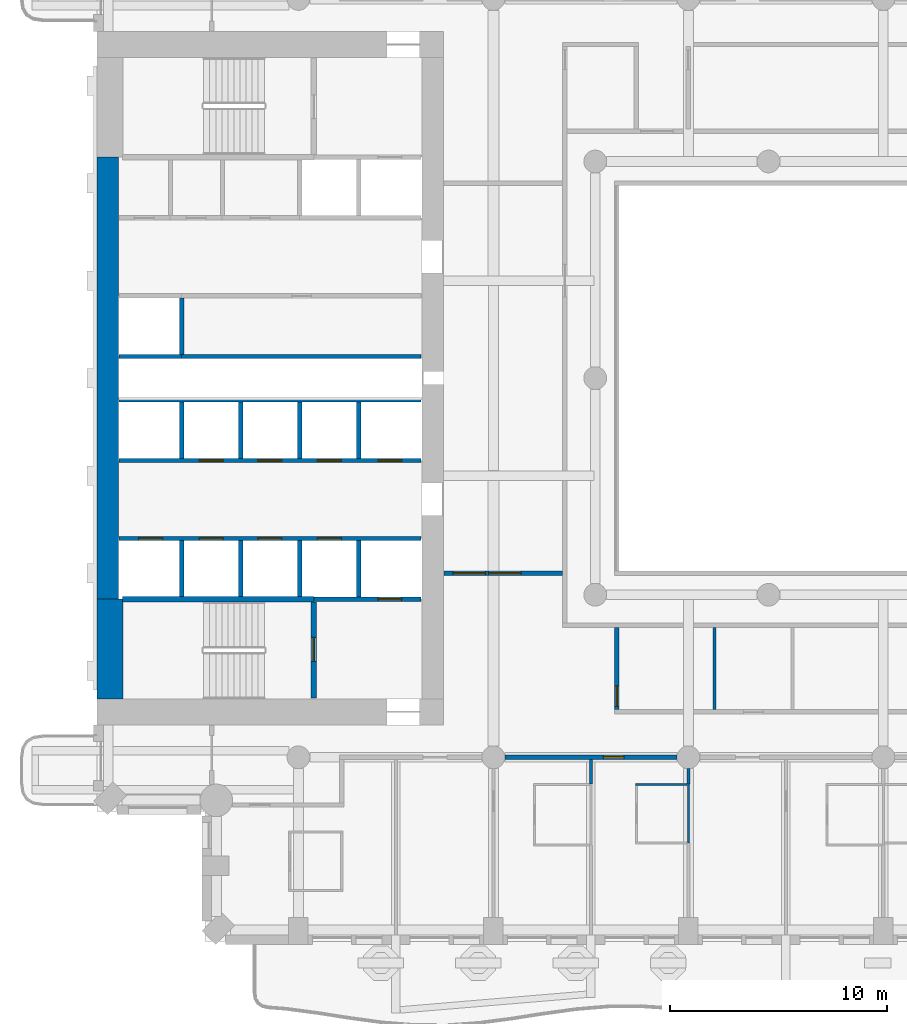
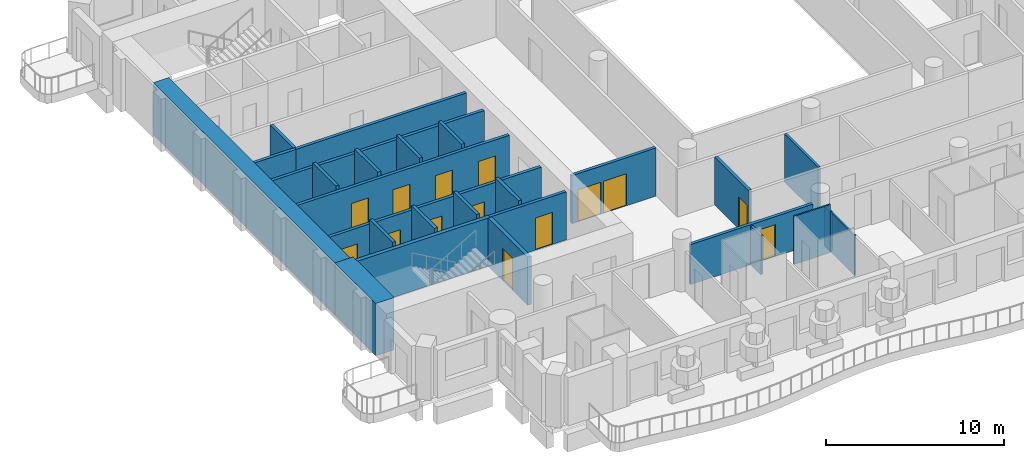
# One storey, part 4 of 20: 27 walls, 14 doors, 14 openings.
"""IFC4 building model written with IfcOpenShell, lengths in metres."""

from ifc_helpers import new_model, si_unit, direction, frame, frame_2d, origin, place, context, subcontext, project, spatial, rectangle, extrude, material, layer, layer_set, type_object, element, fill, save


model = new_model("IFC4")

# Units and contexts
model_context = context("Model", 3, precision=1e-05, world=origin(), true_north=direction((0.0, 1.0)))
body_context = subcontext(model_context, "Body", "Model", "MODEL_VIEW")
ifc_project = project(units=[si_unit("LENGTHUNIT", "METRE"), si_unit("AREAUNIT", "SQUARE_METRE"), si_unit("VOLUMEUNIT", "CUBIC_METRE"), si_unit("PLANEANGLEUNIT", "RADIAN"), si_unit("MASSUNIT", "GRAM", prefix="KILO")], contexts=[model_context])

# Site, building, storey
site_placement = place(None, origin())
site = spatial("IfcSite", under=ifc_project, at=site_placement, CompositionType="ELEMENT")
building_placement = place(site_placement, origin())
building = spatial("IfcBuilding", under=site, at=building_placement, Name="Cypress Arch Tower", CompositionType="ELEMENT")
storey_placement = place(building_placement, frame((0.0, 0.0, 109.5)))
storey = spatial("IfcBuildingStorey", under=building, at=storey_placement, Name="L22", CompositionType="ELEMENT", Elevation=109.5)

# Walls
ifc_material_1 = material(Name="Concrete C80/95", Category="concrete")
ifc_layer_1 = layer(ifc_material_1, 1.0)
ifc_layer_set_1 = layer_set([ifc_layer_1], Name="Core wall CW1000 C80/95")
wall_type_1 = type_object("IfcWallType", Name="Core wall CW1000 C80/95", PredefinedType="SHEAR", material=ifc_layer_set_1)
wall_1_placement = place(storey_placement, frame((-29.5, -10.199951171875, 0.0), z_axis=(0.0, 0.0, 1.0), x_axis=(0.0, 1.0, 0.0)))
element("IfcWall", 1, at=wall_1_placement, inside=storey, type_object=wall_type_1, Name="Core wall", PredefinedType="SHEAR", context=body_context, shape_type="SweptSolid", body=[
    extrude(rectangle(XDim=20.39990234375, YDim=1.0, at=frame_2d((10.199951171875, 0.0))), origin(), (0.0, 0.0, 1.0), 3.60009765625),
])
ifc_material_2 = material(Name="Concrete C80/95", Category="concrete")
ifc_layer_2 = layer(ifc_material_2, 1.199951171875)
ifc_layer_set_2 = layer_set([ifc_layer_2], Name="Core wall CW1200 C80/95")
wall_type_2 = type_object("IfcWallType", Name="Core wall CW1200 C80/95", PredefinedType="SHEAR", material=ifc_layer_set_2)
wall_2_placement = place(storey_placement, frame((-29.39990234375, -14.800048828125, 0.0), z_axis=(0.0, 0.0, 1.0), x_axis=(0.0, 1.0, 0.0)))
element("IfcWall", 2, at=wall_2_placement, inside=storey, type_object=wall_type_2, Name="Core wall", PredefinedType="SHEAR", context=body_context, shape_type="SweptSolid", body=[
    extrude(rectangle(XDim=4.60009765625, YDim=1.199951171875, at=frame_2d((2.300048828125, 0.0))), origin(), (0.0, 0.0, 1.0), 3.60009765625),
])

# Wall, opening, door
ifc_material_3 = material(Name="Concrete blockwork, plastered, rated", Category="masonry")
ifc_layer_3 = layer(ifc_material_3, 0.199951171875)
ifc_layer_set_3 = layer_set([ifc_layer_3], Name="Corridor wall FW200")
wall_type_3 = type_object("IfcWallType", Name="Corridor wall FW200", PredefinedType="PARTITIONING", material=ifc_layer_set_3)
wall_3_placement = place(storey_placement, frame((-11.175048828125, -17.5, 0.0), z_axis=(0.0, 0.0, 1.0), x_axis=(1.0, 0.0, 0.0)))
wall_3 = element("IfcWall", 3, at=wall_3_placement, inside=storey, type_object=wall_type_3, Name="Corridor wall", PredefinedType="PARTITIONING", context=body_context, shape_type="SweptSolid", body=[
    extrude(rectangle(XDim=7.949951171875, YDim=0.199951171875, at=frame_2d((3.97509765625, 0.0))), origin(), (0.0, 0.0, 1.0), 2.75),
])
opening_1_placement = place(wall_3_placement, frame((4.550048828125, 0.0, 0.0)))
opening_1 = element("IfcOpeningElement", 4, at=opening_1_placement, cuts=wall_3, Name="Opening D02", PredefinedType="OPENING", context=body_context, shape_type="SweptSolid", body=[
    extrude(rectangle(XDim=0.949951171875, YDim=2.199951171875, at=frame_2d((0.47509765625, 1.10009765625))), frame((0.0, 0.10986328125, 0.0), z_axis=(0.0, -1.0, 0.0), x_axis=(1.0, 0.0, 0.0)), (0.0, 0.0, 1.0), 0.219970703125),
])
ifc_material_4 = material(Name="Timber flush door, fire resisting", Category="wood")
door_type_1 = type_object("IfcDoorType", Name="Room door D02 950x2200", OperationType="SINGLE_SWING_LEFT", PredefinedType="DOOR", material=ifc_material_4)
door_1_placement = place(opening_1_placement, origin())
door_1 = element("IfcDoor", 5, at=door_1_placement, inside=storey, type_object=door_type_1, Name="Room door", OperationType="SINGLE_SWING_RIGHT", OverallHeight=2.199951171875, OverallWidth=0.949951171875, PredefinedType="DOOR", context=body_context, shape_type="SweptSolid", body=[
    extrude(rectangle(XDim=0.949951171875, YDim=2.199951171875, at=frame_2d((0.47509765625, 1.10009765625))), frame((0.0, 0.02490234375, 0.0), z_axis=(0.0, -1.0, 0.0), x_axis=(1.0, 0.0, 0.0)), (0.0, 0.0, 1.0), 0.050048828125),
])
fill(opening_1, door_1)

# Wall, openings, doors
wall_4_placement = place(storey_placement, frame((-13.969970703125, -9.0, 0.0), z_axis=(0.0, 0.0, 1.0), x_axis=(1.0, 0.0, 0.0)))
wall_4 = element("IfcWall", 6, at=wall_4_placement, inside=storey, type_object=wall_type_3, Name="Corridor wall", PredefinedType="PARTITIONING", context=body_context, shape_type="SweptSolid", body=[
    extrude(rectangle(XDim=5.469970703125, YDim=0.199951171875, at=frame_2d((2.73486328125, 0.0))), origin(), (0.0, 0.0, 1.0), 3.300048828125),
])
opening_2_placement = place(wall_4_placement, frame((0.39990234375, 0.0, 0.0)))
opening_2 = element("IfcOpeningElement", 7, at=opening_2_placement, cuts=wall_4, Name="Opening D04", PredefinedType="OPENING", context=body_context, shape_type="SweptSolid", body=[
    extrude(rectangle(XDim=1.5, YDim=2.199951171875, at=frame_2d((0.75, 1.10009765625))), frame((0.0, 0.10986328125, 0.0), z_axis=(0.0, -1.0, 0.0), x_axis=(1.0, 0.0, 0.0)), (0.0, 0.0, 1.0), 0.219970703125),
])
opening_3_placement = place(wall_4_placement, frame((2.050048828125, 0.0, 0.0)))
opening_3 = element("IfcOpeningElement", 8, at=opening_3_placement, cuts=wall_4, Name="Opening D04", PredefinedType="OPENING", context=body_context, shape_type="SweptSolid", body=[
    extrude(rectangle(XDim=1.5, YDim=2.199951171875, at=frame_2d((0.75, 1.10009765625))), frame((0.0, 0.10986328125, 0.0), z_axis=(0.0, -1.0, 0.0), x_axis=(1.0, 0.0, 0.0)), (0.0, 0.0, 1.0), 0.219970703125),
])
ifc_material_5 = material(Name="Timber double door", Category="wood")
door_type_2 = type_object("IfcDoorType", Name="Double door D04 1500x2200", OperationType="DOUBLE_DOOR_SINGLE_SWING", PredefinedType="DOOR", material=ifc_material_5)
door_2_placement = place(opening_2_placement, origin())
door_2 = element("IfcDoor", 9, at=door_2_placement, inside=storey, type_object=door_type_2, Name="Double door", OperationType="DOUBLE_DOOR_SINGLE_SWING", OverallHeight=2.199951171875, OverallWidth=1.5, PredefinedType="DOOR", context=body_context, shape_type="SweptSolid", body=[
    extrude(rectangle(XDim=1.5, YDim=2.199951171875, at=frame_2d((0.75, 1.10009765625))), frame((0.0, 0.02490234375, 0.0), z_axis=(0.0, -1.0, 0.0), x_axis=(1.0, 0.0, 0.0)), (0.0, 0.0, 1.0), 0.050048828125),
])
fill(opening_2, door_2)
door_3_placement = place(opening_3_placement, origin())
door_3 = element("IfcDoor", 10, at=door_3_placement, inside=storey, type_object=door_type_2, Name="Double door", OperationType="DOUBLE_DOOR_SINGLE_SWING", OverallHeight=2.199951171875, OverallWidth=1.5, PredefinedType="DOOR", context=body_context, shape_type="SweptSolid", body=[
    extrude(rectangle(XDim=1.5, YDim=2.199951171875, at=frame_2d((0.75, 1.10009765625))), frame((0.0, 0.02490234375, 0.0), z_axis=(0.0, -1.0, 0.0), x_axis=(1.0, 0.0, 0.0)), (0.0, 0.0, 1.0), 0.050048828125),
])
fill(opening_3, door_3)

# Wall, opening, door
wall_5_placement = place(storey_placement, frame((-6.0, -15.300048828125, 0.0), z_axis=(0.0, 0.0, 1.0), x_axis=(0.0, 1.0, 0.0)))
wall_5 = element("IfcWall", 11, at=wall_5_placement, inside=storey, type_object=wall_type_3, Name="Corridor wall", PredefinedType="PARTITIONING", context=body_context, shape_type="SweptSolid", body=[
    extrude(rectangle(XDim=3.800048828125, YDim=0.199951171875, at=frame_2d((1.89990234375, 0.0))), origin(), (0.0, 0.0, 1.0), 3.300048828125),
])
opening_4_placement = place(wall_5_placement, frame((0.14990234375, 0.0, 0.0)))
opening_4 = element("IfcOpeningElement", 12, at=opening_4_placement, cuts=wall_5, Name="Opening D02", PredefinedType="OPENING", context=body_context, shape_type="SweptSolid", body=[
    extrude(rectangle(XDim=0.949951171875, YDim=2.199951171875, at=frame_2d((0.47509765625, 1.10009765625))), frame((0.0, 0.10986328125, 0.0), z_axis=(0.0, -1.0, 0.0), x_axis=(1.0, 0.0, 0.0)), (0.0, 0.0, 1.0), 0.219970703125),
])
door_4_placement = place(opening_4_placement, origin())
door_4 = element("IfcDoor", 13, at=door_4_placement, inside=storey, type_object=door_type_1, Name="Room door", OperationType="SINGLE_SWING_RIGHT", OverallHeight=2.199951171875, OverallWidth=0.949951171875, PredefinedType="DOOR", context=body_context, shape_type="SweptSolid", body=[
    extrude(rectangle(XDim=0.949951171875, YDim=2.199951171875, at=frame_2d((0.47509765625, 1.10009765625))), frame((0.0, 0.02490234375, 0.0), z_axis=(0.0, -1.0, 0.0), x_axis=(1.0, 0.0, 0.0)), (0.0, 0.0, 1.0), 0.050048828125),
])
fill(opening_4, door_4)

# Walls
ifc_material_6 = material(Name="Blockwork, plastered both sides", Category="masonry")
ifc_layer_4 = layer(ifc_material_6, 0.14990234375)
ifc_layer_set_4 = layer_set([ifc_layer_4], Name="Partition PW150")
wall_type_4 = type_object("IfcWallType", Name="Partition PW150", PredefinedType="PARTITIONING", material=ifc_layer_set_4)
wall_6_placement = place(storey_placement, frame((-7.199951171875, -18.72998046875, 0.0), z_axis=(0.0, 0.0, 1.0), x_axis=(0.0, 1.0, 0.0)))
element("IfcWall", 14, at=wall_6_placement, inside=storey, type_object=wall_type_4, Name="Partition", PredefinedType="PARTITIONING", context=body_context, shape_type="SweptSolid", body=[
    extrude(rectangle(XDim=1.1298828125, YDim=0.14990234375, at=frame_2d((0.56494140625, 0.0))), origin(), (0.0, 0.0, 1.0), 2.64990234375),
])
wall_7_placement = place(storey_placement, frame((-2.699951171875, -18.72998046875, 0.0), z_axis=(0.0, 0.0, 1.0), x_axis=(0.0, 1.0, 0.0)))
element("IfcWall", 15, at=wall_7_placement, inside=storey, type_object=wall_type_4, Name="Partition", PredefinedType="PARTITIONING", context=body_context, shape_type="SweptSolid", body=[
    extrude(rectangle(XDim=0.705078125, YDim=0.14990234375, at=frame_2d((0.3525390625, 0.0))), origin(), (0.0, 0.0, 1.0), 2.75),
])
wall_8_placement = place(storey_placement, frame((-1.5, -15.300048828125, 0.0), z_axis=(0.0, 0.0, 1.0), x_axis=(0.0, 1.0, 0.0)))
element("IfcWall", 16, at=wall_8_placement, inside=storey, type_object=wall_type_4, Name="Partition", PredefinedType="PARTITIONING", context=body_context, shape_type="SweptSolid", body=[
    extrude(rectangle(XDim=3.800048828125, YDim=0.14990234375, at=frame_2d((1.89990234375, 0.0))), origin(), (0.0, 0.0, 1.0), 3.300048828125),
])
ifc_material_7 = material(Name="Reinforced blockwork, plastered, rated", Category="masonry")
ifc_layer_5 = layer(ifc_material_7, 0.199951171875)
ifc_layer_set_5 = layer_set([ifc_layer_5], Name="Plant and riser wall PL200")
wall_type_5 = type_object("IfcWallType", Name="Plant and riser wall PL200", PredefinedType="PARTITIONING", material=ifc_layer_set_5)
wall_9_placement = place(storey_placement, frame((-26.10009765625, 1.0, 0.0), z_axis=(0.0, 0.0, 1.0), x_axis=(1.0, 0.0, 0.0)))
element("IfcWall", 17, at=wall_9_placement, inside=storey, type_object=wall_type_5, Name="Plant and riser wall", PredefinedType="PARTITIONING", context=body_context, shape_type="SweptSolid", body=[
    extrude(rectangle(XDim=11.070068359375, YDim=0.199951171875, at=frame_2d((5.53515625, 0.0))), origin(), (0.0, 0.0, 1.0), 3.300048828125),
])

# Wall, openings, doors
ifc_material_8 = material(Name="Concrete C50/60", Category="concrete")
ifc_layer_6 = layer(ifc_material_8, 0.199951171875)
ifc_layer_set_6 = layer_set([ifc_layer_6], Name="Shaft wall SH200")
wall_type_6 = type_object("IfcWallType", Name="Shaft wall SH200", PredefinedType="SHEAR", material=ifc_layer_set_6)
wall_10_placement = place(storey_placement, frame((-28.969970703125, -7.39990234375, 0.0), z_axis=(0.0, 0.0, 1.0), x_axis=(1.0, 0.0, 0.0)))
wall_10 = element("IfcWall", 18, at=wall_10_placement, inside=storey, type_object=wall_type_6, Name="Shaft wall", PredefinedType="SHEAR", context=body_context, shape_type="SweptSolid", body=[
    extrude(rectangle(XDim=13.93994140625, YDim=0.199951171875, at=frame_2d((6.969970703125, 0.0))), origin(), (0.0, 0.0, 1.0), 3.300048828125),
])
opening_5_placement = place(wall_10_placement, frame((0.89990234375, 0.0, 0.0)))
opening_5 = element("IfcOpeningElement", 19, at=opening_5_placement, cuts=wall_10, Name="Opening LD-LR1", PredefinedType="OPENING", context=body_context, shape_type="SweptSolid", body=[
    extrude(rectangle(XDim=1.10009765625, YDim=2.199951171875, at=frame_2d((0.550048828125, 1.10009765625))), frame((0.0, 0.10986328125, 0.0), z_axis=(0.0, -1.0, 0.0), x_axis=(1.0, 0.0, 0.0)), (0.0, 0.0, 1.0), 0.219970703125),
])
opening_6_placement = place(wall_10_placement, frame((3.699951171875, 0.0, 0.0)))
opening_6 = element("IfcOpeningElement", 20, at=opening_6_placement, cuts=wall_10, Name="Opening LD-LR2", PredefinedType="OPENING", context=body_context, shape_type="SweptSolid", body=[
    extrude(rectangle(XDim=1.10009765625, YDim=2.199951171875, at=frame_2d((0.550048828125, 1.10009765625))), frame((0.0, 0.10986328125, 0.0), z_axis=(0.0, -1.0, 0.0), x_axis=(1.0, 0.0, 0.0)), (0.0, 0.0, 1.0), 0.219970703125),
])
opening_7_placement = place(wall_10_placement, frame((6.39990234375, 0.0, 0.0)))
opening_7 = element("IfcOpeningElement", 21, at=opening_7_placement, cuts=wall_10, Name="Opening LD-LR3", PredefinedType="OPENING", context=body_context, shape_type="SweptSolid", body=[
    extrude(rectangle(XDim=1.10009765625, YDim=2.199951171875, at=frame_2d((0.550048828125, 1.10009765625))), frame((0.0, 0.10986328125, 0.0), z_axis=(0.0, -1.0, 0.0), x_axis=(1.0, 0.0, 0.0)), (0.0, 0.0, 1.0), 0.219970703125),
])
opening_8_placement = place(wall_10_placement, frame((9.14990234375, 0.0, 0.0)))
opening_8 = element("IfcOpeningElement", 22, at=opening_8_placement, cuts=wall_10, Name="Opening LD-LR4", PredefinedType="OPENING", context=body_context, shape_type="SweptSolid", body=[
    extrude(rectangle(XDim=1.10009765625, YDim=2.199951171875, at=frame_2d((0.550048828125, 1.10009765625))), frame((0.0, 0.10986328125, 0.0), z_axis=(0.0, -1.0, 0.0), x_axis=(1.0, 0.0, 0.0)), (0.0, 0.0, 1.0), 0.219970703125),
])
ifc_material_9 = material(Name="Stainless steel centre-opening landing door, rated", Category="steel")
door_type_3 = type_object("IfcDoorType", Name="Lift landing door LD 1100x2200", OperationType="DOUBLE_DOOR_SLIDING", PredefinedType="DOOR", material=ifc_material_9)
door_5_placement = place(opening_5_placement, origin())
door_5 = element("IfcDoor", 23, at=door_5_placement, inside=storey, type_object=door_type_3, Name="Lift landing doors LR1", OperationType="DOUBLE_DOOR_SLIDING", OverallHeight=2.199951171875, OverallWidth=1.10009765625, PredefinedType="DOOR", context=body_context, shape_type="SweptSolid", body=[
    extrude(rectangle(XDim=1.10009765625, YDim=2.199951171875, at=frame_2d((0.550048828125, 1.10009765625))), frame((0.0, 0.02490234375, 0.0), z_axis=(0.0, -1.0, 0.0), x_axis=(1.0, 0.0, 0.0)), (0.0, 0.0, 1.0), 0.050048828125),
])
fill(opening_5, door_5)
door_6_placement = place(opening_6_placement, origin())
door_6 = element("IfcDoor", 24, at=door_6_placement, inside=storey, type_object=door_type_3, Name="Lift landing doors LR2", OperationType="DOUBLE_DOOR_SLIDING", OverallHeight=2.199951171875, OverallWidth=1.10009765625, PredefinedType="DOOR", context=body_context, shape_type="SweptSolid", body=[
    extrude(rectangle(XDim=1.10009765625, YDim=2.199951171875, at=frame_2d((0.550048828125, 1.10009765625))), frame((0.0, 0.02490234375, 0.0), z_axis=(0.0, -1.0, 0.0), x_axis=(1.0, 0.0, 0.0)), (0.0, 0.0, 1.0), 0.050048828125),
])
fill(opening_6, door_6)
door_7_placement = place(opening_7_placement, origin())
door_7 = element("IfcDoor", 25, at=door_7_placement, inside=storey, type_object=door_type_3, Name="Lift landing doors LR3", OperationType="DOUBLE_DOOR_SLIDING", OverallHeight=2.199951171875, OverallWidth=1.10009765625, PredefinedType="DOOR", context=body_context, shape_type="SweptSolid", body=[
    extrude(rectangle(XDim=1.10009765625, YDim=2.199951171875, at=frame_2d((0.550048828125, 1.10009765625))), frame((0.0, 0.02490234375, 0.0), z_axis=(0.0, -1.0, 0.0), x_axis=(1.0, 0.0, 0.0)), (0.0, 0.0, 1.0), 0.050048828125),
])
fill(opening_7, door_7)
door_8_placement = place(opening_8_placement, origin())
door_8 = element("IfcDoor", 26, at=door_8_placement, inside=storey, type_object=door_type_3, Name="Lift landing doors LR4", OperationType="DOUBLE_DOOR_SLIDING", OverallHeight=2.199951171875, OverallWidth=1.10009765625, PredefinedType="DOOR", context=body_context, shape_type="SweptSolid", body=[
    extrude(rectangle(XDim=1.10009765625, YDim=2.199951171875, at=frame_2d((0.550048828125, 1.10009765625))), frame((0.0, 0.02490234375, 0.0), z_axis=(0.0, -1.0, 0.0), x_axis=(1.0, 0.0, 0.0)), (0.0, 0.0, 1.0), 0.050048828125),
])
fill(opening_8, door_8)

wall_11_placement = place(storey_placement, frame((-28.969970703125, -3.800048828125, 0.0), z_axis=(0.0, 0.0, 1.0), x_axis=(1.0, 0.0, 0.0)))
wall_11 = element("IfcWall", 27, at=wall_11_placement, inside=storey, type_object=wall_type_6, Name="Shaft wall", PredefinedType="SHEAR", context=body_context, shape_type="SweptSolid", body=[
    extrude(rectangle(XDim=13.93994140625, YDim=0.199951171875, at=frame_2d((6.969970703125, 0.0))), origin(), (0.0, 0.0, 1.0), 3.300048828125),
])
opening_9_placement = place(wall_11_placement, frame((3.699951171875, 0.0, 0.0)))
opening_9 = element("IfcOpeningElement", 28, at=opening_9_placement, cuts=wall_11, Name="Opening LD-LR5", PredefinedType="OPENING", context=body_context, shape_type="SweptSolid", body=[
    extrude(rectangle(XDim=1.10009765625, YDim=2.199951171875, at=frame_2d((0.550048828125, 1.10009765625))), frame((0.0, 0.10986328125, 0.0), z_axis=(0.0, -1.0, 0.0), x_axis=(1.0, 0.0, 0.0)), (0.0, 0.0, 1.0), 0.219970703125),
])
opening_10_placement = place(wall_11_placement, frame((6.39990234375, 0.0, 0.0)))
opening_10 = element("IfcOpeningElement", 29, at=opening_10_placement, cuts=wall_11, Name="Opening LD-LR6", PredefinedType="OPENING", context=body_context, shape_type="SweptSolid", body=[
    extrude(rectangle(XDim=1.10009765625, YDim=2.199951171875, at=frame_2d((0.550048828125, 1.10009765625))), frame((0.0, 0.10986328125, 0.0), z_axis=(0.0, -1.0, 0.0), x_axis=(1.0, 0.0, 0.0)), (0.0, 0.0, 1.0), 0.219970703125),
])
opening_11_placement = place(wall_11_placement, frame((9.14990234375, 0.0, 0.0)))
opening_11 = element("IfcOpeningElement", 30, at=opening_11_placement, cuts=wall_11, Name="Opening LD-LR7", PredefinedType="OPENING", context=body_context, shape_type="SweptSolid", body=[
    extrude(rectangle(XDim=1.10009765625, YDim=2.199951171875, at=frame_2d((0.550048828125, 1.10009765625))), frame((0.0, 0.10986328125, 0.0), z_axis=(0.0, -1.0, 0.0), x_axis=(1.0, 0.0, 0.0)), (0.0, 0.0, 1.0), 0.219970703125),
])
opening_12_placement = place(wall_11_placement, frame((11.949951171875, 0.0, 0.0)))
opening_12 = element("IfcOpeningElement", 31, at=opening_12_placement, cuts=wall_11, Name="Opening LD-LR8", PredefinedType="OPENING", context=body_context, shape_type="SweptSolid", body=[
    extrude(rectangle(XDim=1.10009765625, YDim=2.199951171875, at=frame_2d((0.550048828125, 1.10009765625))), frame((0.0, 0.10986328125, 0.0), z_axis=(0.0, -1.0, 0.0), x_axis=(1.0, 0.0, 0.0)), (0.0, 0.0, 1.0), 0.219970703125),
])
door_9_placement = place(opening_9_placement, origin())
door_9 = element("IfcDoor", 32, at=door_9_placement, inside=storey, type_object=door_type_3, Name="Lift landing doors LR5", OperationType="DOUBLE_DOOR_SLIDING", OverallHeight=2.199951171875, OverallWidth=1.10009765625, PredefinedType="DOOR", context=body_context, shape_type="SweptSolid", body=[
    extrude(rectangle(XDim=1.10009765625, YDim=2.199951171875, at=frame_2d((0.550048828125, 1.10009765625))), frame((0.0, 0.02490234375, 0.0), z_axis=(0.0, -1.0, 0.0), x_axis=(1.0, 0.0, 0.0)), (0.0, 0.0, 1.0), 0.050048828125),
])
fill(opening_9, door_9)
door_10_placement = place(opening_10_placement, origin())
door_10 = element("IfcDoor", 33, at=door_10_placement, inside=storey, type_object=door_type_3, Name="Lift landing doors LR6", OperationType="DOUBLE_DOOR_SLIDING", OverallHeight=2.199951171875, OverallWidth=1.10009765625, PredefinedType="DOOR", context=body_context, shape_type="SweptSolid", body=[
    extrude(rectangle(XDim=1.10009765625, YDim=2.199951171875, at=frame_2d((0.550048828125, 1.10009765625))), frame((0.0, 0.02490234375, 0.0), z_axis=(0.0, -1.0, 0.0), x_axis=(1.0, 0.0, 0.0)), (0.0, 0.0, 1.0), 0.050048828125),
])
fill(opening_10, door_10)
door_11_placement = place(opening_11_placement, origin())
door_11 = element("IfcDoor", 34, at=door_11_placement, inside=storey, type_object=door_type_3, Name="Lift landing doors LR7", OperationType="DOUBLE_DOOR_SLIDING", OverallHeight=2.199951171875, OverallWidth=1.10009765625, PredefinedType="DOOR", context=body_context, shape_type="SweptSolid", body=[
    extrude(rectangle(XDim=1.10009765625, YDim=2.199951171875, at=frame_2d((0.550048828125, 1.10009765625))), frame((0.0, 0.02490234375, 0.0), z_axis=(0.0, -1.0, 0.0), x_axis=(1.0, 0.0, 0.0)), (0.0, 0.0, 1.0), 0.050048828125),
])
fill(opening_11, door_11)
door_12_placement = place(opening_12_placement, origin())
door_12 = element("IfcDoor", 35, at=door_12_placement, inside=storey, type_object=door_type_3, Name="Lift landing doors LR8", OperationType="DOUBLE_DOOR_SLIDING", OverallHeight=2.199951171875, OverallWidth=1.10009765625, PredefinedType="DOOR", context=body_context, shape_type="SweptSolid", body=[
    extrude(rectangle(XDim=1.10009765625, YDim=2.199951171875, at=frame_2d((0.550048828125, 1.10009765625))), frame((0.0, 0.02490234375, 0.0), z_axis=(0.0, -1.0, 0.0), x_axis=(1.0, 0.0, 0.0)), (0.0, 0.0, 1.0), 0.050048828125),
])
fill(opening_12, door_12)

# Walls
wall_12_placement = place(storey_placement, frame((-28.969970703125, -1.0, 0.0), z_axis=(0.0, 0.0, 1.0), x_axis=(1.0, 0.0, 0.0)))
element("IfcWall", 36, at=wall_12_placement, inside=storey, type_object=wall_type_6, Name="Shaft wall", PredefinedType="SHEAR", context=body_context, shape_type="SweptSolid", body=[
    extrude(rectangle(XDim=13.93994140625, YDim=0.199951171875, at=frame_2d((6.969970703125, 0.0))), origin(), (0.0, 0.0, 1.0), 3.300048828125),
])
wall_13_placement = place(storey_placement, frame((-28.969970703125, 1.0, 0.0), z_axis=(0.0, 0.0, 1.0), x_axis=(1.0, 0.0, 0.0)))
element("IfcWall", 37, at=wall_13_placement, inside=storey, type_object=wall_type_6, Name="Shaft wall", PredefinedType="SHEAR", context=body_context, shape_type="SweptSolid", body=[
    extrude(rectangle(XDim=2.869873046875, YDim=0.199951171875, at=frame_2d((1.43505859375, 0.0))), origin(), (0.0, 0.0, 1.0), 3.300048828125),
])
wall_14_placement = place(storey_placement, frame((-26.080078125, -10.074951171875, 0.0), z_axis=(0.0, 0.0, 1.0), x_axis=(0.0, 1.0, 0.0)))
element("IfcWall", 38, at=wall_14_placement, inside=storey, type_object=wall_type_6, Name="Shaft wall", PredefinedType="SHEAR", context=body_context, shape_type="SweptSolid", body=[
    extrude(rectangle(XDim=2.574951171875, YDim=0.199951171875, at=frame_2d((1.28759765625, 0.0))), origin(), (0.0, 0.0, 1.0), 3.60009765625),
])
wall_15_placement = place(storey_placement, frame((-26.080078125, -3.699951171875, 0.0), z_axis=(0.0, 0.0, 1.0), x_axis=(0.0, 1.0, 0.0)))
element("IfcWall", 39, at=wall_15_placement, inside=storey, type_object=wall_type_6, Name="Shaft wall", PredefinedType="SHEAR", context=body_context, shape_type="SweptSolid", body=[
    extrude(rectangle(XDim=2.599853515625, YDim=0.199951171875, at=frame_2d((1.2998046875, 0.0))), origin(), (0.0, 0.0, 1.0), 3.60009765625),
])
wall_16_placement = place(storey_placement, frame((-26.080078125, 1.10009765625, 0.0), z_axis=(0.0, 0.0, 1.0), x_axis=(0.0, 1.0, 0.0)))
element("IfcWall", 40, at=wall_16_placement, inside=storey, type_object=wall_type_6, Name="Shaft wall", PredefinedType="SHEAR", context=body_context, shape_type="SweptSolid", body=[
    extrude(rectangle(XDim=2.599853515625, YDim=0.199951171875, at=frame_2d((1.2998046875, 0.0))), origin(), (0.0, 0.0, 1.0), 3.300048828125),
])
wall_17_placement = place(storey_placement, frame((-23.360107421875, -10.074951171875, 0.0), z_axis=(0.0, 0.0, 1.0), x_axis=(0.0, 1.0, 0.0)))
element("IfcWall", 41, at=wall_17_placement, inside=storey, type_object=wall_type_6, Name="Shaft wall", PredefinedType="SHEAR", context=body_context, shape_type="SweptSolid", body=[
    extrude(rectangle(XDim=2.574951171875, YDim=0.199951171875, at=frame_2d((1.28759765625, 0.0))), origin(), (0.0, 0.0, 1.0), 3.60009765625),
])
wall_18_placement = place(storey_placement, frame((-23.360107421875, -3.699951171875, 0.0), z_axis=(0.0, 0.0, 1.0), x_axis=(0.0, 1.0, 0.0)))
element("IfcWall", 42, at=wall_18_placement, inside=storey, type_object=wall_type_6, Name="Shaft wall", PredefinedType="SHEAR", context=body_context, shape_type="SweptSolid", body=[
    extrude(rectangle(XDim=2.599853515625, YDim=0.199951171875, at=frame_2d((1.2998046875, 0.0))), origin(), (0.0, 0.0, 1.0), 3.60009765625),
])
wall_19_placement = place(storey_placement, frame((-20.639892578125, -10.074951171875, 0.0), z_axis=(0.0, 0.0, 1.0), x_axis=(0.0, 1.0, 0.0)))
element("IfcWall", 43, at=wall_19_placement, inside=storey, type_object=wall_type_6, Name="Shaft wall", PredefinedType="SHEAR", context=body_context, shape_type="SweptSolid", body=[
    extrude(rectangle(XDim=2.574951171875, YDim=0.199951171875, at=frame_2d((1.28759765625, 0.0))), origin(), (0.0, 0.0, 1.0), 3.60009765625),
])
wall_20_placement = place(storey_placement, frame((-20.639892578125, -3.699951171875, 0.0), z_axis=(0.0, 0.0, 1.0), x_axis=(0.0, 1.0, 0.0)))
element("IfcWall", 44, at=wall_20_placement, inside=storey, type_object=wall_type_6, Name="Shaft wall", PredefinedType="SHEAR", context=body_context, shape_type="SweptSolid", body=[
    extrude(rectangle(XDim=2.599853515625, YDim=0.199951171875, at=frame_2d((1.2998046875, 0.0))), origin(), (0.0, 0.0, 1.0), 3.60009765625),
])

# Wall, opening, door
wall_21_placement = place(storey_placement, frame((-19.97998046875, -10.199951171875, 0.0), z_axis=(0.0, 0.0, 1.0), x_axis=(1.0, 0.0, 0.0)))
wall_21 = element("IfcWall", 45, at=wall_21_placement, inside=storey, type_object=wall_type_6, Name="Shaft wall", PredefinedType="SHEAR", context=body_context, shape_type="SweptSolid", body=[
    extrude(rectangle(XDim=4.949951171875, YDim=0.199951171875, at=frame_2d((2.47509765625, 0.0))), origin(), (0.0, 0.0, 1.0), 3.300048828125),
])
opening_13_placement = place(wall_21_placement, frame((2.949951171875, 0.0, 0.0)))
opening_13 = element("IfcOpeningElement", 46, at=opening_13_placement, cuts=wall_21, Name="Opening LD-FL1", PredefinedType="OPENING", context=body_context, shape_type="SweptSolid", body=[
    extrude(rectangle(XDim=1.10009765625, YDim=2.199951171875, at=frame_2d((0.550048828125, 1.10009765625))), frame((0.0, 0.10986328125, 0.0), z_axis=(0.0, -1.0, 0.0), x_axis=(1.0, 0.0, 0.0)), (0.0, 0.0, 1.0), 0.219970703125),
])
door_13_placement = place(opening_13_placement, origin())
door_13 = element("IfcDoor", 47, at=door_13_placement, inside=storey, type_object=door_type_3, Name="Lift landing doors FL1", OperationType="DOUBLE_DOOR_SLIDING", OverallHeight=2.199951171875, OverallWidth=1.10009765625, PredefinedType="DOOR", context=body_context, shape_type="SweptSolid", body=[
    extrude(rectangle(XDim=1.10009765625, YDim=2.199951171875, at=frame_2d((0.550048828125, 1.10009765625))), frame((0.0, 0.02490234375, 0.0), z_axis=(0.0, -1.0, 0.0), x_axis=(1.0, 0.0, 0.0)), (0.0, 0.0, 1.0), 0.050048828125),
])
fill(opening_13, door_13)

# Walls
wall_22_placement = place(storey_placement, frame((-17.919921875, -10.10009765625, 0.0), z_axis=(0.0, 0.0, 1.0), x_axis=(0.0, 1.0, 0.0)))
element("IfcWall", 48, at=wall_22_placement, inside=storey, type_object=wall_type_6, Name="Shaft wall", PredefinedType="SHEAR", context=body_context, shape_type="SweptSolid", body=[
    extrude(rectangle(XDim=2.60009765625, YDim=0.199951171875, at=frame_2d((1.300048828125, 0.0))), origin(), (0.0, 0.0, 1.0), 3.60009765625),
])
wall_23_placement = place(storey_placement, frame((-17.919921875, -3.699951171875, 0.0), z_axis=(0.0, 0.0, 1.0), x_axis=(0.0, 1.0, 0.0)))
element("IfcWall", 49, at=wall_23_placement, inside=storey, type_object=wall_type_6, Name="Shaft wall", PredefinedType="SHEAR", context=body_context, shape_type="SweptSolid", body=[
    extrude(rectangle(XDim=2.599853515625, YDim=0.199951171875, at=frame_2d((1.2998046875, 0.0))), origin(), (0.0, 0.0, 1.0), 3.60009765625),
])
ifc_material_10 = material(Name="Concrete C50/60", Category="concrete")
ifc_layer_7 = layer(ifc_material_10, 0.25)
ifc_layer_set_7 = layer_set([ifc_layer_7], Name="Stair enclosure wall SW250")
wall_type_7 = type_object("IfcWallType", Name="Stair enclosure wall SW250", PredefinedType="SHEAR", material=ifc_layer_set_7)
wall_24_placement = place(storey_placement, frame((-28.81005859375, -10.199951171875, 0.0), z_axis=(0.0, 0.0, 1.0), x_axis=(1.0, 0.0, 0.0)))
element("IfcWall", 50, at=wall_24_placement, inside=storey, type_object=wall_type_7, Name="Stair enclosure wall", PredefinedType="SHEAR", context=body_context, shape_type="SweptSolid", body=[
    extrude(rectangle(XDim=8.830078125, YDim=0.25, at=frame_2d((4.4150390625, 0.0))), origin(), (0.0, 0.0, 1.0), 3.300048828125),
])

# Wall, opening, door
wall_25_placement = place(storey_placement, frame((-20.0, -14.77001953125, 0.0), z_axis=(0.0, 0.0, 1.0), x_axis=(0.0, 1.0, 0.0)))
wall_25 = element("IfcWall", 51, at=wall_25_placement, inside=storey, type_object=wall_type_7, Name="Stair enclosure wall", PredefinedType="SHEAR", context=body_context, shape_type="SweptSolid", body=[
    extrude(rectangle(XDim=4.445068359375, YDim=0.25, at=frame_2d((2.22265625, 0.0))), origin(), (0.0, 0.0, 1.0), 3.300048828125),
])
opening_14_placement = place(wall_25_placement, frame((1.699951171875, 0.0, 0.0)))
opening_14 = element("IfcOpeningElement", 52, at=opening_14_placement, cuts=wall_25, Name="Opening D06", PredefinedType="OPENING", context=body_context, shape_type="SweptSolid", body=[
    extrude(rectangle(XDim=1.10009765625, YDim=2.199951171875, at=frame_2d((0.550048828125, 1.10009765625))), frame((0.0, 0.135009765625, 0.0), z_axis=(0.0, -1.0, 0.0), x_axis=(1.0, 0.0, 0.0)), (0.0, 0.0, 1.0), 0.27001953125),
])
ifc_material_11 = material(Name="Steel door, fire resisting, panic bar", Category="steel")
door_type_4 = type_object("IfcDoorType", Name="Stair door D06 1100x2200", OperationType="SINGLE_SWING_LEFT", PredefinedType="DOOR", material=ifc_material_11)
door_14_placement = place(opening_14_placement, origin())
door_14 = element("IfcDoor", 53, at=door_14_placement, inside=storey, type_object=door_type_4, Name="Stair door", OperationType="SINGLE_SWING_RIGHT", OverallHeight=2.199951171875, OverallWidth=1.10009765625, PredefinedType="DOOR", context=body_context, shape_type="SweptSolid", body=[
    extrude(rectangle(XDim=1.10009765625, YDim=2.199951171875, at=frame_2d((0.550048828125, 1.10009765625))), frame((0.0, 0.02490234375, 0.0), z_axis=(0.0, -1.0, 0.0), x_axis=(1.0, 0.0, 0.0)), (0.0, 0.0, 1.0), 0.050048828125),
])
fill(opening_14, door_14)

# Walls
ifc_material_12 = material(Name="Moisture resistant board on steel studs, tiled", Category="steel")
ifc_layer_8 = layer(ifc_material_12, 0.10009765625)
ifc_layer_set_8 = layer_set([ifc_layer_8], Name="Wet wall PW100")
wall_type_8 = type_object("IfcWallType", Name="Wet wall PW100", PredefinedType="PARTITIONING", material=ifc_layer_set_8)
wall_26_placement = place(storey_placement, frame((-5.14599609375, -18.75, 0.0), z_axis=(0.0, 0.0, 1.0), x_axis=(1.0, 0.0, 0.0)))
element("IfcWall", 54, at=wall_26_placement, inside=storey, type_object=wall_type_8, Name="Wet wall", PredefinedType="PARTITIONING", context=body_context, shape_type="SweptSolid", body=[
    extrude(rectangle(XDim=2.37109375, YDim=0.10009765625, at=frame_2d((1.185546875, 0.0))), origin(), (0.0, 0.0, 1.0), 3.300048828125),
])
wall_27_placement = place(storey_placement, frame((-2.699951171875, -21.449951171875, 0.0), z_axis=(0.0, 0.0, 1.0), x_axis=(0.0, 1.0, 0.0)))
element("IfcWall", 55, at=wall_27_placement, inside=storey, type_object=wall_type_8, Name="Wet wall", PredefinedType="PARTITIONING", context=body_context, shape_type="SweptSolid", body=[
    extrude(rectangle(XDim=2.719970703125, YDim=0.10009765625, at=frame_2d((1.35986328125, 0.0))), origin(), (0.0, 0.0, 1.0), 2.75),
])

save(model, "model.ifc")
